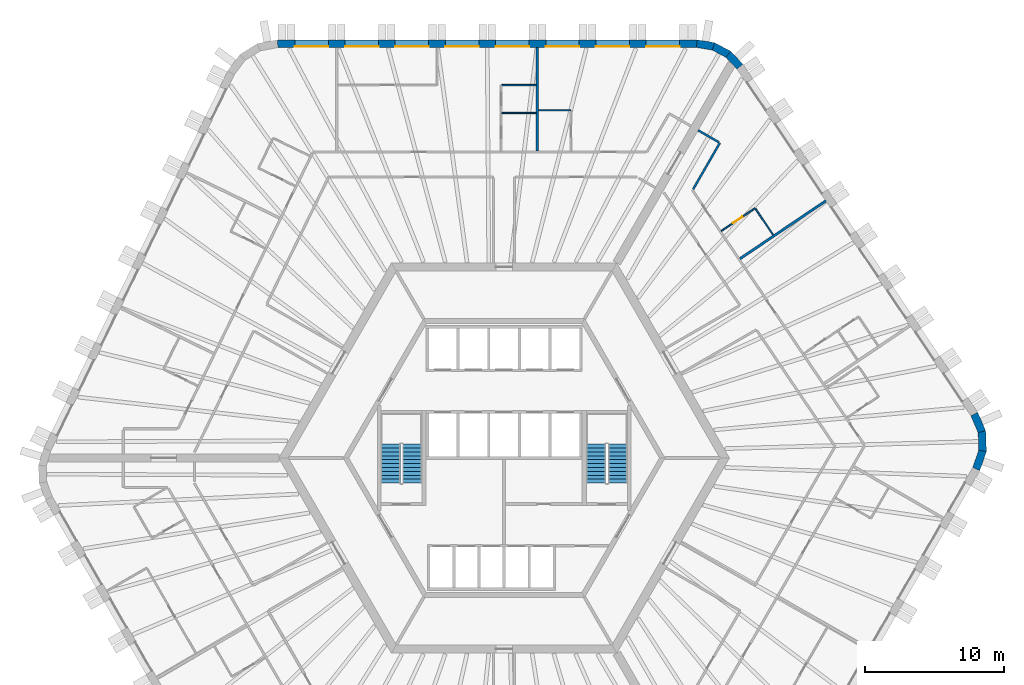
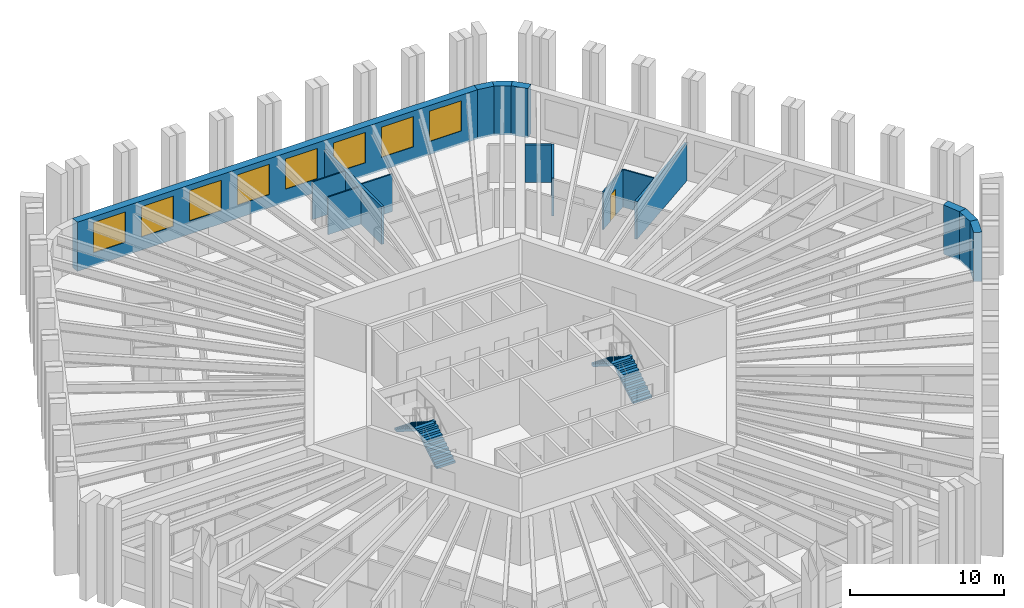
# One storey, part 10 of 12: 16 walls, 8 windows, 4 stair flights, 1 door, 9 openings, 2 elements without a shape of their own.
"""IFC4 building model written with IfcOpenShell, lengths in metres."""

from ifc_helpers import new_model, si_unit, direction, frame, frame_2d, origin, place, context, subcontext, project, spatial, polyline, rectangle, outline, extrude, material, layer, layer_set, type_object, element, fill, aggregate, save


model = new_model("IFC4")

# Units and contexts
model_context = context("Model", 3, precision=1e-05, world=origin(), true_north=direction((0.0, 1.0)))
body_context = subcontext(model_context, "Body", "Model", "MODEL_VIEW")
ifc_project = project(units=[si_unit("LENGTHUNIT", "METRE"), si_unit("AREAUNIT", "SQUARE_METRE"), si_unit("VOLUMEUNIT", "CUBIC_METRE"), si_unit("PLANEANGLEUNIT", "RADIAN"), si_unit("MASSUNIT", "GRAM", prefix="KILO")], contexts=[model_context])

# Site, building, storey
site_placement = place(None, origin())
site = spatial("IfcSite", under=ifc_project, at=site_placement, CompositionType="ELEMENT")
building_placement = place(site_placement, origin())
building = spatial("IfcBuilding", under=site, at=building_placement, Name="Tarnside Tower", CompositionType="ELEMENT")
storey_placement = place(building_placement, frame((0.0, 0.0, 60.89990234375)))
storey = spatial("IfcBuildingStorey", under=building, at=storey_placement, Name="L12", CompositionType="ELEMENT", Elevation=60.89990234375)

# Walls
ifc_material_1 = material(Name="Gypsum board partition on steel studs", Category="steel")
ifc_layer_1 = layer(ifc_material_1, 0.10009765625)
ifc_layer_set_1 = layer_set([ifc_layer_1], Name="Bathroom wall 100")
wall_type_1 = type_object("IfcWallType", Name="Bathroom wall 100", PredefinedType="PARTITIONING", material=ifc_layer_set_1)
wall_1_placement = place(storey_placement, frame((2.47900390625, 24.949951171875, 0.0), z_axis=(0.0, 0.0, 1.0), x_axis=(1.0, 0.0, 0.0)))
element("IfcWall", 1, at=wall_1_placement, inside=storey, type_object=wall_type_1, Name="Bathroom wall 03072", PredefinedType="PARTITIONING", context=body_context, shape_type="SweptSolid", body=[
    extrude(rectangle(XDim=2.31005859375, YDim=0.10009765625, at=frame_2d((1.155029296875, 0.0))), origin(), (0.0, 0.0, 1.0), 2.98779296875),
])
wall_2_placement = place(storey_placement, frame((2.298828125, 24.75, 0.0), z_axis=(0.0, 0.0, 1.0), x_axis=(-1.0, 0.0, 0.0)))
element("IfcWall", 2, at=wall_2_placement, inside=storey, type_object=wall_type_1, Name="Bathroom wall 03084", PredefinedType="PARTITIONING", context=body_context, shape_type="SweptSolid", body=[
    extrude(rectangle(XDim=2.4599609375, YDim=0.10009765625, at=frame_2d((1.22998046875, 0.0))), origin(), (0.0, 0.0, 1.0), 2.98779296875),
])

# Wall, opening, door
wall_3_placement = place(storey_placement, frame((15.58154296875, 16.286376953125, 0.0), z_axis=(0.0, 0.0, 1.0), x_axis=(0.829033436212, 0.559199035802, 0.0)))
wall_3 = element("IfcWall", 3, at=wall_3_placement, inside=storey, type_object=wall_type_1, Name="Bathroom wall 03150", PredefinedType="PARTITIONING", context=body_context, shape_type="SweptSolid", body=[
    extrude(rectangle(XDim=2.925048828125, YDim=0.10009765625, at=frame_2d((1.46240234375, 0.0))), origin(), (0.0, 0.0, 1.0), 2.98779296875),
])
opening_1_placement = place(wall_3_placement, frame((1.02490234375, 0.0, 0.0)))
opening_1 = element("IfcOpeningElement", 4, at=opening_1_placement, cuts=wall_3, Name="Opening D-B1", PredefinedType="OPENING", context=body_context, shape_type="SweptSolid", body=[
    extrude(rectangle(XDim=0.800048828125, YDim=2.10009765625, at=frame_2d((0.39990234375, 1.050048828125))), frame((0.0, 0.06005859375, 0.0), z_axis=(0.0, -1.0, 0.0), x_axis=(1.0, 0.0, 0.0)), (0.0, 0.0, 1.0), 0.1201171875),
])
ifc_material_2 = material(Name="Timber door leaf", Category="wood")
door_type = type_object("IfcDoorType", Name="Bathroom door 800", OperationType="NOTDEFINED", PredefinedType="DOOR", material=ifc_material_2)
door_placement = place(opening_1_placement, origin())
door = element("IfcDoor", 5, at=door_placement, inside=storey, type_object=door_type, Name="Bathroom door 03038", OperationType="SINGLE_SWING_RIGHT", OverallHeight=2.10009765625, OverallWidth=0.800048828125, PredefinedType="DOOR", context=body_context, shape_type="SweptSolid", body=[
    extrude(rectangle(XDim=0.800048828125, YDim=2.10009765625, at=frame_2d((0.39990234375, 1.050048828125))), frame((0.0, 0.02490234375, 0.0), z_axis=(0.0, -1.0, 0.0), x_axis=(1.0, 0.0, 0.0)), (0.0, 0.0, 1.0), 0.050048828125),
])
fill(opening_1, door)

# Walls
wall_4_placement = place(storey_placement, frame((18.034423828125, 17.880615234375, 0.0), z_axis=(0.0, 0.0, 1.0), x_axis=(0.559253906445, -0.828996422264, 0.0)))
element("IfcWall", 6, at=wall_4_placement, inside=storey, type_object=wall_type_1, Name="Bathroom wall 03151", PredefinedType="PARTITIONING", context=body_context, shape_type="SweptSolid", body=[
    extrude(rectangle(XDim=2.260009765625, YDim=0.10009765625, at=frame_2d((1.1298828125, 0.0))), origin(), (0.0, 0.0, 1.0), 2.98779296875),
])
ifc_layer_2 = layer(ifc_material_1, 0.14990234375)
ifc_layer_set_2 = layer_set([ifc_layer_2], Name="Corridor wall 150 EI 60")
wall_type_2 = type_object("IfcWallType", Name="Corridor wall 150 EI 60", PredefinedType="PARTITIONING", material=ifc_layer_set_2)
wall_5_placement = place(storey_placement, frame((13.55908203125, 19.284912109375, 0.0), z_axis=(0.0, 0.0, 1.0), x_axis=(0.499975646431, 0.866039463868, 0.0)))
element("IfcWall", 7, at=wall_5_placement, inside=storey, type_object=wall_type_2, Name="Corridor wall 03060", PredefinedType="PARTITIONING", context=body_context, shape_type="SweptSolid", body=[
    extrude(rectangle(XDim=3.839599609375, YDim=0.14990234375, at=frame_2d((1.919921875, 0.0))), origin(), (0.0, 0.0, 1.0), 2.98779296875),
])
wall_6_placement = place(storey_placement, frame((15.413818359375, 22.647705078125, 0.0), z_axis=(0.0, 0.0, 1.0), x_axis=(-0.866074815912, 0.499914405916, 0.0)))
element("IfcWall", 8, at=wall_6_placement, inside=storey, type_object=wall_type_2, Name="Corridor wall 03061", PredefinedType="PARTITIONING", context=body_context, shape_type="SweptSolid", body=[
    extrude(rectangle(XDim=1.724853515625, YDim=0.14990234375, at=frame_2d((0.8623046875, 0.0))), origin(), (0.0, 0.0, 1.0), 2.98779296875),
])
ifc_layer_3 = layer(ifc_material_1, 0.179931640625)
ifc_layer_set_3 = layer_set([ifc_layer_3], Name="Demising wall 180 EI 60")
wall_type_3 = type_object("IfcWallType", Name="Demising wall 180 EI 60", PredefinedType="PARTITIONING", material=ifc_layer_set_3)
wall_7_placement = place(storey_placement, frame((2.388916015625, 29.449951171875, 0.0), z_axis=(0.0, 0.0, 1.0), x_axis=(0.0, -1.0, 0.0)))
element("IfcWall", 9, at=wall_7_placement, inside=storey, type_object=wall_type_3, Name="Demising wall 03074", PredefinedType="PARTITIONING", context=body_context, shape_type="SweptSolid", body=[
    extrude(rectangle(XDim=7.425048828125, YDim=0.179931640625, at=frame_2d((3.71240234375, 0.0))), origin(), (0.0, 0.0, 1.0), 2.98779296875),
])
wall_8_placement = place(storey_placement, frame((23.079345703125, 18.44873046875, 0.0), z_axis=(0.0, 0.0, 1.0), x_axis=(-0.829038452737, -0.559191598545, 0.0)))
element("IfcWall", 10, at=wall_8_placement, inside=storey, type_object=wall_type_3, Name="Demising wall 03147", PredefinedType="PARTITIONING", context=body_context, shape_type="SweptSolid", body=[
    extrude(rectangle(XDim=7.42529296875, YDim=0.179931640625, at=frame_2d((3.712646484375, 0.0))), origin(), (0.0, 0.0, 1.0), 2.98779296875),
])
ifc_layer_4 = layer(ifc_material_1, 0.10009765625)
ifc_layer_set_4 = layer_set([ifc_layer_4], Name="Partition 100")
wall_type_4 = type_object("IfcWallType", Name="Partition 100", PredefinedType="PARTITIONING", material=ifc_layer_set_4)
wall_9_placement = place(storey_placement, frame((-0.1611328125, 26.75, 0.0), z_axis=(0.0, 0.0, 1.0), x_axis=(1.0, 0.0, 0.0)))
element("IfcWall", 11, at=wall_9_placement, inside=storey, type_object=wall_type_4, Name="Partition wall 03080", PredefinedType="PARTITIONING", context=body_context, shape_type="SweptSolid", body=[
    extrude(rectangle(XDim=2.4599609375, YDim=0.10009765625, at=frame_2d((1.22998046875, 0.0))), origin(), (0.0, 0.0, 1.0), 2.98779296875),
])

# Wall, openings, windows
ifc_material_3 = material(Name="Facing brick", Category="masonry")
ifc_layer_5 = layer(ifc_material_3, 0.10205078125)
ifc_material_4 = material(Name="Concrete C60/75 precast", Category="concrete")
ifc_layer_6 = layer(ifc_material_4, 0.347900390625)
ifc_material_5 = material(Name="Mineral wool insulation")
ifc_layer_7 = layer(ifc_material_5, 0.10009765625)
ifc_layer_set_5 = layer_set([ifc_layer_5, ifc_layer_6, ifc_layer_7], Name="Tube wall 550 brick faced")
wall_type_5 = type_object("IfcWallType", Name="Tube wall 550 brick faced", PredefinedType="SOLIDWALL", material=ifc_layer_set_5)
wall_10_placement = place(storey_placement, frame((13.824462890625, 29.72509765625, -0.14990234375), z_axis=(0.0, 0.0, 1.0), x_axis=(-1.0, 0.0, 0.0)))
wall_10 = element("IfcWall", 12, at=wall_10_placement, inside=storey, type_object=wall_type_5, Name="Tube wall L12 F1 flush 00", PredefinedType="SOLIDWALL", context=body_context, shape_type="SweptSolid", body=[
    extrude(outline(polyline([(-0.0224609375, -0.27490234375), (30.0966796875, -0.27490234375), (30.04541015625, 0.27490234375), (0.0224609375, 0.27490234375), (-0.0224609375, -0.27490234375)])), origin(), (0.0, 0.0, 1.0), 3.89990234375),
])
opening_2_placement = place(wall_10_placement, frame((1.235595703125, 0.0, 1.050048828125)))
opening_2 = element("IfcOpeningElement", 13, at=opening_2_placement, cuts=wall_10, Name="Opening WH", PredefinedType="OPENING", context=body_context, shape_type="SweptSolid", body=[
    extrude(rectangle(XDim=2.39990234375, YDim=2.39990234375, at=frame_2d((1.199951171875, 1.199951171875))), frame((0.0, 0.28515625, 0.0), z_axis=(0.0, -1.0, 0.0), x_axis=(1.0, 0.0, 0.0)), (0.0, 0.0, 1.0), 0.570068359375),
])
opening_3_placement = place(wall_10_placement, frame((4.83544921875, 0.0, 1.050048828125)))
opening_3 = element("IfcOpeningElement", 14, at=opening_3_placement, cuts=wall_10, Name="Opening WH", PredefinedType="OPENING", context=body_context, shape_type="SweptSolid", body=[
    extrude(rectangle(XDim=2.39990234375, YDim=2.39990234375, at=frame_2d((1.199951171875, 1.199951171875))), frame((0.0, 0.28515625, 0.0), z_axis=(0.0, -1.0, 0.0), x_axis=(1.0, 0.0, 0.0)), (0.0, 0.0, 1.0), 0.570068359375),
])
opening_4_placement = place(wall_10_placement, frame((8.435546875, 0.0, 1.050048828125)))
opening_4 = element("IfcOpeningElement", 15, at=opening_4_placement, cuts=wall_10, Name="Opening WH", PredefinedType="OPENING", context=body_context, shape_type="SweptSolid", body=[
    extrude(rectangle(XDim=2.39990234375, YDim=2.39990234375, at=frame_2d((1.199951171875, 1.199951171875))), frame((0.0, 0.28515625, 0.0), z_axis=(0.0, -1.0, 0.0), x_axis=(1.0, 0.0, 0.0)), (0.0, 0.0, 1.0), 0.570068359375),
])
opening_5_placement = place(wall_10_placement, frame((12.035400390625, 0.0, 1.050048828125)))
opening_5 = element("IfcOpeningElement", 16, at=opening_5_placement, cuts=wall_10, Name="Opening WH", PredefinedType="OPENING", context=body_context, shape_type="SweptSolid", body=[
    extrude(rectangle(XDim=2.39990234375, YDim=2.39990234375, at=frame_2d((1.199951171875, 1.199951171875))), frame((0.0, 0.28515625, 0.0), z_axis=(0.0, -1.0, 0.0), x_axis=(1.0, 0.0, 0.0)), (0.0, 0.0, 1.0), 0.570068359375),
])
opening_6_placement = place(wall_10_placement, frame((15.635498046875, 0.0, 1.050048828125)))
opening_6 = element("IfcOpeningElement", 17, at=opening_6_placement, cuts=wall_10, Name="Opening WH", PredefinedType="OPENING", context=body_context, shape_type="SweptSolid", body=[
    extrude(rectangle(XDim=2.39990234375, YDim=2.39990234375, at=frame_2d((1.199951171875, 1.199951171875))), frame((0.0, 0.28515625, 0.0), z_axis=(0.0, -1.0, 0.0), x_axis=(1.0, 0.0, 0.0)), (0.0, 0.0, 1.0), 0.570068359375),
])
opening_7_placement = place(wall_10_placement, frame((19.235595703125, 0.0, 1.050048828125)))
opening_7 = element("IfcOpeningElement", 18, at=opening_7_placement, cuts=wall_10, Name="Opening WH", PredefinedType="OPENING", context=body_context, shape_type="SweptSolid", body=[
    extrude(rectangle(XDim=2.39990234375, YDim=2.39990234375, at=frame_2d((1.199951171875, 1.199951171875))), frame((0.0, 0.28515625, 0.0), z_axis=(0.0, -1.0, 0.0), x_axis=(1.0, 0.0, 0.0)), (0.0, 0.0, 1.0), 0.570068359375),
])
opening_8_placement = place(wall_10_placement, frame((22.83544921875, 0.0, 1.050048828125)))
opening_8 = element("IfcOpeningElement", 19, at=opening_8_placement, cuts=wall_10, Name="Opening WH", PredefinedType="OPENING", context=body_context, shape_type="SweptSolid", body=[
    extrude(rectangle(XDim=2.39990234375, YDim=2.39990234375, at=frame_2d((1.199951171875, 1.199951171875))), frame((0.0, 0.28515625, 0.0), z_axis=(0.0, -1.0, 0.0), x_axis=(1.0, 0.0, 0.0)), (0.0, 0.0, 1.0), 0.570068359375),
])
opening_9_placement = place(wall_10_placement, frame((26.435546875, 0.0, 1.050048828125)))
opening_9 = element("IfcOpeningElement", 20, at=opening_9_placement, cuts=wall_10, Name="Opening WH", PredefinedType="OPENING", context=body_context, shape_type="SweptSolid", body=[
    extrude(rectangle(XDim=2.39990234375, YDim=2.39990234375, at=frame_2d((1.199951171875, 1.199951171875))), frame((0.0, 0.28515625, 0.0), z_axis=(0.0, -1.0, 0.0), x_axis=(1.0, 0.0, 0.0)), (0.0, 0.0, 1.0), 0.570068359375),
])
ifc_material_6 = material(Name="Aluminium-framed double glazing", Category="aluminium")
window_type = type_object("IfcWindowType", Name="Hotel window 2400 x 2400", PartitioningType="DOUBLE_PANEL_VERTICAL", PredefinedType="WINDOW", material=ifc_material_6)
window_1_placement = place(opening_2_placement, frame((0.0, 0.205078125, 0.0)))
window_1 = element("IfcWindow", 21, at=window_1_placement, inside=storey, type_object=window_type, Name="E.WN.L12.F1.00", OverallHeight=2.39990234375, OverallWidth=2.39990234375, PartitioningType="DOUBLE_PANEL_VERTICAL", PredefinedType="WINDOW", context=body_context, shape_type="SweptSolid", body=[
    extrude(rectangle(XDim=2.39990234375, YDim=2.39990234375, at=frame_2d((1.199951171875, 1.199951171875))), frame((0.0, 0.030029296875, 0.0), z_axis=(0.0, -1.0, 0.0), x_axis=(1.0, 0.0, 0.0)), (0.0, 0.0, 1.0), 0.06005859375),
])
fill(opening_2, window_1)
window_2_placement = place(opening_3_placement, frame((0.0, 0.205078125, 0.0)))
window_2 = element("IfcWindow", 22, at=window_2_placement, inside=storey, type_object=window_type, Name="E.WN.L12.F1.01", OverallHeight=2.39990234375, OverallWidth=2.39990234375, PartitioningType="DOUBLE_PANEL_VERTICAL", PredefinedType="WINDOW", context=body_context, shape_type="SweptSolid", body=[
    extrude(rectangle(XDim=2.39990234375, YDim=2.39990234375, at=frame_2d((1.199951171875, 1.199951171875))), frame((0.0, 0.030029296875, 0.0), z_axis=(0.0, -1.0, 0.0), x_axis=(1.0, 0.0, 0.0)), (0.0, 0.0, 1.0), 0.06005859375),
])
fill(opening_3, window_2)
window_3_placement = place(opening_4_placement, frame((0.0, 0.205078125, 0.0)))
window_3 = element("IfcWindow", 23, at=window_3_placement, inside=storey, type_object=window_type, Name="E.WN.L12.F1.02", OverallHeight=2.39990234375, OverallWidth=2.39990234375, PartitioningType="DOUBLE_PANEL_VERTICAL", PredefinedType="WINDOW", context=body_context, shape_type="SweptSolid", body=[
    extrude(rectangle(XDim=2.39990234375, YDim=2.39990234375, at=frame_2d((1.199951171875, 1.199951171875))), frame((0.0, 0.030029296875, 0.0), z_axis=(0.0, -1.0, 0.0), x_axis=(1.0, 0.0, 0.0)), (0.0, 0.0, 1.0), 0.06005859375),
])
fill(opening_4, window_3)
window_4_placement = place(opening_5_placement, frame((0.0, 0.205078125, 0.0)))
window_4 = element("IfcWindow", 24, at=window_4_placement, inside=storey, type_object=window_type, Name="E.WN.L12.F1.03", OverallHeight=2.39990234375, OverallWidth=2.39990234375, PartitioningType="DOUBLE_PANEL_VERTICAL", PredefinedType="WINDOW", context=body_context, shape_type="SweptSolid", body=[
    extrude(rectangle(XDim=2.39990234375, YDim=2.39990234375, at=frame_2d((1.199951171875, 1.199951171875))), frame((0.0, 0.030029296875, 0.0), z_axis=(0.0, -1.0, 0.0), x_axis=(1.0, 0.0, 0.0)), (0.0, 0.0, 1.0), 0.06005859375),
])
fill(opening_5, window_4)
window_5_placement = place(opening_6_placement, frame((0.0, 0.205078125, 0.0)))
window_5 = element("IfcWindow", 25, at=window_5_placement, inside=storey, type_object=window_type, Name="E.WN.L12.F1.04", OverallHeight=2.39990234375, OverallWidth=2.39990234375, PartitioningType="DOUBLE_PANEL_VERTICAL", PredefinedType="WINDOW", context=body_context, shape_type="SweptSolid", body=[
    extrude(rectangle(XDim=2.39990234375, YDim=2.39990234375, at=frame_2d((1.199951171875, 1.199951171875))), frame((0.0, 0.030029296875, 0.0), z_axis=(0.0, -1.0, 0.0), x_axis=(1.0, 0.0, 0.0)), (0.0, 0.0, 1.0), 0.06005859375),
])
fill(opening_6, window_5)
window_6_placement = place(opening_7_placement, frame((0.0, 0.205078125, 0.0)))
window_6 = element("IfcWindow", 26, at=window_6_placement, inside=storey, type_object=window_type, Name="E.WN.L12.F1.05", OverallHeight=2.39990234375, OverallWidth=2.39990234375, PartitioningType="DOUBLE_PANEL_VERTICAL", PredefinedType="WINDOW", context=body_context, shape_type="SweptSolid", body=[
    extrude(rectangle(XDim=2.39990234375, YDim=2.39990234375, at=frame_2d((1.199951171875, 1.199951171875))), frame((0.0, 0.030029296875, 0.0), z_axis=(0.0, -1.0, 0.0), x_axis=(1.0, 0.0, 0.0)), (0.0, 0.0, 1.0), 0.06005859375),
])
fill(opening_7, window_6)
window_7_placement = place(opening_8_placement, frame((0.0, 0.205078125, 0.0)))
window_7 = element("IfcWindow", 27, at=window_7_placement, inside=storey, type_object=window_type, Name="E.WN.L12.F1.06", OverallHeight=2.39990234375, OverallWidth=2.39990234375, PartitioningType="DOUBLE_PANEL_VERTICAL", PredefinedType="WINDOW", context=body_context, shape_type="SweptSolid", body=[
    extrude(rectangle(XDim=2.39990234375, YDim=2.39990234375, at=frame_2d((1.199951171875, 1.199951171875))), frame((0.0, 0.030029296875, 0.0), z_axis=(0.0, -1.0, 0.0), x_axis=(1.0, 0.0, 0.0)), (0.0, 0.0, 1.0), 0.06005859375),
])
fill(opening_8, window_7)
window_8_placement = place(opening_9_placement, frame((0.0, 0.205078125, 0.0)))
window_8 = element("IfcWindow", 28, at=window_8_placement, inside=storey, type_object=window_type, Name="E.WN.L12.F1.07", OverallHeight=2.39990234375, OverallWidth=2.39990234375, PartitioningType="DOUBLE_PANEL_VERTICAL", PredefinedType="WINDOW", context=body_context, shape_type="SweptSolid", body=[
    extrude(rectangle(XDim=2.39990234375, YDim=2.39990234375, at=frame_2d((1.199951171875, 1.199951171875))), frame((0.0, 0.030029296875, 0.0), z_axis=(0.0, -1.0, 0.0), x_axis=(1.0, 0.0, 0.0)), (0.0, 0.0, 1.0), 0.06005859375),
])
fill(opening_9, window_8)

# Walls
wall_11_placement = place(storey_placement, frame((33.865966796875, -0.79248046875, -0.14990234375), z_axis=(0.0, 0.0, 1.0), x_axis=(0.33111537203, 0.943590276765, 0.0)))
element("IfcWall", 29, at=wall_11_placement, inside=storey, type_object=wall_type_5, Name="Tube wall L12 F5 chord 17", PredefinedType="SOLIDWALL", context=body_context, shape_type="SweptSolid", body=[
    extrude(outline(polyline([(-0.025634765625, -0.27490234375), (1.4306640625, -0.27490234375), (1.3271484375, 0.27490234375), (0.025634765625, 0.27490234375), (-0.025634765625, -0.27490234375)])), origin(), (0.0, 0.0, 1.0), 3.89990234375),
])
wall_12_placement = place(storey_placement, frame((34.322509765625, 0.508544921875, -0.14990234375), z_axis=(0.0, 0.0, 1.0), x_axis=(-0.034876908462, 0.999391615562, 0.0)))
element("IfcWall", 30, at=wall_12_placement, inside=storey, type_object=wall_type_5, Name="Tube wall L12 F5 chord 18", PredefinedType="SOLIDWALL", context=body_context, shape_type="SweptSolid", body=[
    extrude(outline(polyline([(-0.0517578125, -0.27490234375), (1.4306640625, -0.27490234375), (1.3271484375, 0.27490234375), (0.0517578125, 0.27490234375), (-0.0517578125, -0.27490234375)])), origin(), (0.0, 0.0, 1.0), 3.89990234375),
])
wall_13_placement = place(storey_placement, frame((34.2744140625, 1.88671875, -0.14990234375), z_axis=(0.0, 0.0, 1.0), x_axis=(-0.396161342798, 0.918180913803, 0.0)))
element("IfcWall", 31, at=wall_13_placement, inside=storey, type_object=wall_type_5, Name="Tube wall L12 F5 chord 19", PredefinedType="SOLIDWALL", context=body_context, shape_type="SweptSolid", body=[
    extrude(outline(polyline([(-0.0517578125, -0.27490234375), (1.40478515625, -0.27490234375), (1.353515625, 0.27490234375), (0.0517578125, 0.27490234375), (-0.0517578125, -0.27490234375)])), origin(), (0.0, 0.0, 1.0), 3.89990234375),
])
wall_14_placement = place(storey_placement, frame((16.91259765625, 28.0830078125, -0.14990234375), z_axis=(0.0, 0.0, 1.0), x_axis=(-0.686196220404, 0.727416488061, 0.0)))
element("IfcWall", 32, at=wall_14_placement, inside=storey, type_object=wall_type_5, Name="Tube wall L12 F6 chord 21", PredefinedType="SOLIDWALL", context=body_context, shape_type="SweptSolid", body=[
    extrude(outline(polyline([(-0.0224609375, -0.27490234375), (1.25341796875, -0.27490234375), (1.1630859375, 0.27490234375), (0.0224609375, 0.27490234375), (-0.0224609375, -0.27490234375)])), origin(), (0.0, 0.0, 1.0), 3.89990234375),
])
wall_15_placement = place(storey_placement, frame((16.08349609375, 28.9619140625, -0.14990234375), z_axis=(0.0, 0.0, 1.0), x_axis=(-0.882995347911, 0.469381737574, 0.0)))
element("IfcWall", 33, at=wall_15_placement, inside=storey, type_object=wall_type_5, Name="Tube wall L12 F6 chord 22", PredefinedType="SOLIDWALL", context=body_context, shape_type="SweptSolid", body=[
    extrude(outline(polyline([(-0.045166015625, -0.27490234375), (1.25341796875, -0.27490234375), (1.1630859375, 0.27490234375), (0.045166015625, 0.27490234375), (-0.045166015625, -0.27490234375)])), origin(), (0.0, 0.0, 1.0), 3.89990234375),
])
wall_16_placement = place(storey_placement, frame((15.0166015625, 29.529052734375, -0.14990234375), z_axis=(0.0, 0.0, 1.0), x_axis=(-0.986746625868, 0.162268593195, 0.0)))
element("IfcWall", 34, at=wall_16_placement, inside=storey, type_object=wall_type_5, Name="Tube wall L12 F6 chord 23", PredefinedType="SOLIDWALL", context=body_context, shape_type="SweptSolid", body=[
    extrude(outline(polyline([(-0.045166015625, -0.27490234375), (1.230712890625, -0.27490234375), (1.185791015625, 0.27490234375), (0.045166015625, 0.27490234375), (-0.045166015625, -0.27490234375)])), origin(), (0.0, 0.0, 1.0), 3.89990234375),
])

# Stair, stair flights
ifc_material_7 = material(Name="Concrete C40/50", Category="concrete")
stair_type = type_object("IfcStairType", Name="Exit stair 1400 clear", PredefinedType="HALF_TURN_STAIR", material=ifc_material_7)
stair_1_placement = place(storey_placement, origin())
stair_1 = element("IfcStair", 35, at=stair_1_placement, inside=storey, type_object=stair_type, Name="L12 Exit stair 1", PredefinedType="HALF_TURN_STAIR")
stair_flight_type = type_object("IfcStairFlightType", Name="Exit stair flight 1400", PredefinedType="STRAIGHT", material=ifc_material_7)
stair_flight_1_placement = place(storey_placement, frame((8.14990234375, -1.800048828125, 0.0), z_axis=(0.0, 0.0, 1.0), x_axis=(0.0, 1.0, 0.0)))
stair_flight_1 = element("IfcStairFlight", 36, at=stair_flight_1_placement, type_object=stair_flight_type, Name="ST1 flight 1", NumberOfRisers=11, NumberOfTreads=10, PredefinedType="STRAIGHT", RiserHeight=0.177272727, TreadLength=0.28, context=body_context, shape_type="SweptSolid", body=[
    extrude(outline(polyline([(0.0, 0.0), (0.0, 0.17724609375), (0.280029296875, 0.17724609375), (0.280029296875, 0.3544921875), (0.56005859375, 0.3544921875), (0.56005859375, 0.53173828125), (0.840087890625, 0.53173828125), (0.840087890625, 0.708984375), (1.1201171875, 0.708984375), (1.1201171875, 0.886474609375), (1.39990234375, 0.886474609375), (1.39990234375, 1.063720703125), (1.679931640625, 1.063720703125), (1.679931640625, 1.240966796875), (1.9599609375, 1.240966796875), (1.9599609375, 1.418212890625), (2.239990234375, 1.418212890625), (2.239990234375, 1.595458984375), (2.52001953125, 1.595458984375), (2.52001953125, 1.772705078125), (2.800048828125, 1.772705078125), (2.800048828125, 1.949951171875), (2.800048828125, 1.59521484375), (0.2802734375, 0.0), (0.0, 0.0)])), frame((0.0, 0.699951171875, 0.0), z_axis=(0.0, -1.0, 0.0), x_axis=(1.0, 0.0, 0.0)), (0.0, 0.0, 1.0), 1.39990234375),
])
stair_flight_2_placement = place(storey_placement, frame((6.60009765625, 1.0, 1.9501953125), z_axis=(0.0, 0.0, 1.0), x_axis=(0.0, -1.0, 0.0)))
stair_flight_2 = element("IfcStairFlight", 37, at=stair_flight_2_placement, type_object=stair_flight_type, Name="ST1 flight 2", NumberOfRisers=11, NumberOfTreads=10, PredefinedType="STRAIGHT", RiserHeight=0.177272727, TreadLength=0.28, context=body_context, shape_type="SweptSolid", body=[
    extrude(outline(polyline([(0.0, 0.0), (0.0, 0.17724609375), (0.280029296875, 0.17724609375), (0.280029296875, 0.3544921875), (0.56005859375, 0.3544921875), (0.56005859375, 0.53173828125), (0.840087890625, 0.53173828125), (0.840087890625, 0.708984375), (1.1201171875, 0.708984375), (1.1201171875, 0.886474609375), (1.39990234375, 0.886474609375), (1.39990234375, 1.063720703125), (1.679931640625, 1.063720703125), (1.679931640625, 1.240966796875), (1.9599609375, 1.240966796875), (1.9599609375, 1.418212890625), (2.239990234375, 1.418212890625), (2.239990234375, 1.595458984375), (2.52001953125, 1.595458984375), (2.52001953125, 1.772705078125), (2.800048828125, 1.772705078125), (2.800048828125, 1.949951171875), (2.800048828125, 1.59521484375), (0.2802734375, 0.0), (0.0, 0.0)])), frame((0.0, 0.699951171875, 0.0), z_axis=(0.0, -1.0, 0.0), x_axis=(1.0, 0.0, 0.0)), (0.0, 0.0, 1.0), 1.39990234375),
])
aggregate(stair_1, [stair_flight_1, stair_flight_2])

stair_2_placement = place(storey_placement, origin())
stair_2 = element("IfcStair", 38, at=stair_2_placement, inside=storey, type_object=stair_type, Name="L12 Exit stair 2", PredefinedType="HALF_TURN_STAIR")
stair_flight_3_placement = place(storey_placement, frame((-6.60009765625, -1.800048828125, 0.0), z_axis=(0.0, 0.0, 1.0), x_axis=(0.0, 1.0, 0.0)))
stair_flight_3 = element("IfcStairFlight", 39, at=stair_flight_3_placement, type_object=stair_flight_type, Name="ST2 flight 1", NumberOfRisers=11, NumberOfTreads=10, PredefinedType="STRAIGHT", RiserHeight=0.177272727, TreadLength=0.28, context=body_context, shape_type="SweptSolid", body=[
    extrude(outline(polyline([(0.0, 0.0), (0.0, 0.17724609375), (0.280029296875, 0.17724609375), (0.280029296875, 0.3544921875), (0.56005859375, 0.3544921875), (0.56005859375, 0.53173828125), (0.840087890625, 0.53173828125), (0.840087890625, 0.708984375), (1.1201171875, 0.708984375), (1.1201171875, 0.886474609375), (1.39990234375, 0.886474609375), (1.39990234375, 1.063720703125), (1.679931640625, 1.063720703125), (1.679931640625, 1.240966796875), (1.9599609375, 1.240966796875), (1.9599609375, 1.418212890625), (2.239990234375, 1.418212890625), (2.239990234375, 1.595458984375), (2.52001953125, 1.595458984375), (2.52001953125, 1.772705078125), (2.800048828125, 1.772705078125), (2.800048828125, 1.949951171875), (2.800048828125, 1.59521484375), (0.2802734375, 0.0), (0.0, 0.0)])), frame((0.0, 0.699951171875, 0.0), z_axis=(0.0, -1.0, 0.0), x_axis=(1.0, 0.0, 0.0)), (0.0, 0.0, 1.0), 1.39990234375),
])
stair_flight_4_placement = place(storey_placement, frame((-8.14990234375, 1.0, 1.9501953125), z_axis=(0.0, 0.0, 1.0), x_axis=(0.0, -1.0, 0.0)))
stair_flight_4 = element("IfcStairFlight", 40, at=stair_flight_4_placement, type_object=stair_flight_type, Name="ST2 flight 2", NumberOfRisers=11, NumberOfTreads=10, PredefinedType="STRAIGHT", RiserHeight=0.177272727, TreadLength=0.28, context=body_context, shape_type="SweptSolid", body=[
    extrude(outline(polyline([(0.0, 0.0), (0.0, 0.17724609375), (0.280029296875, 0.17724609375), (0.280029296875, 0.3544921875), (0.56005859375, 0.3544921875), (0.56005859375, 0.53173828125), (0.840087890625, 0.53173828125), (0.840087890625, 0.708984375), (1.1201171875, 0.708984375), (1.1201171875, 0.886474609375), (1.39990234375, 0.886474609375), (1.39990234375, 1.063720703125), (1.679931640625, 1.063720703125), (1.679931640625, 1.240966796875), (1.9599609375, 1.240966796875), (1.9599609375, 1.418212890625), (2.239990234375, 1.418212890625), (2.239990234375, 1.595458984375), (2.52001953125, 1.595458984375), (2.52001953125, 1.772705078125), (2.800048828125, 1.772705078125), (2.800048828125, 1.949951171875), (2.800048828125, 1.59521484375), (0.2802734375, 0.0), (0.0, 0.0)])), frame((0.0, 0.699951171875, 0.0), z_axis=(0.0, -1.0, 0.0), x_axis=(1.0, 0.0, 0.0)), (0.0, 0.0, 1.0), 1.39990234375),
])
aggregate(stair_2, [stair_flight_3, stair_flight_4])

save(model, "model.ifc")
